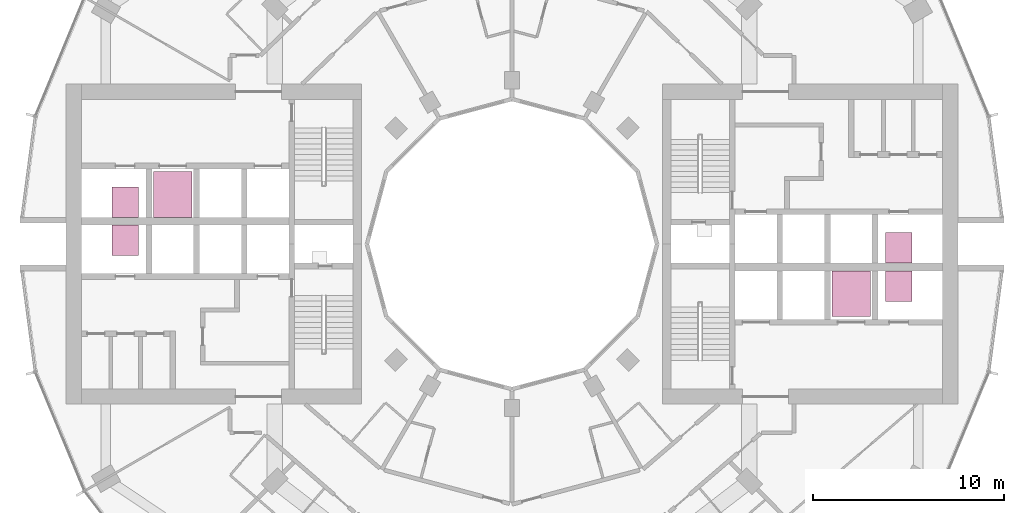
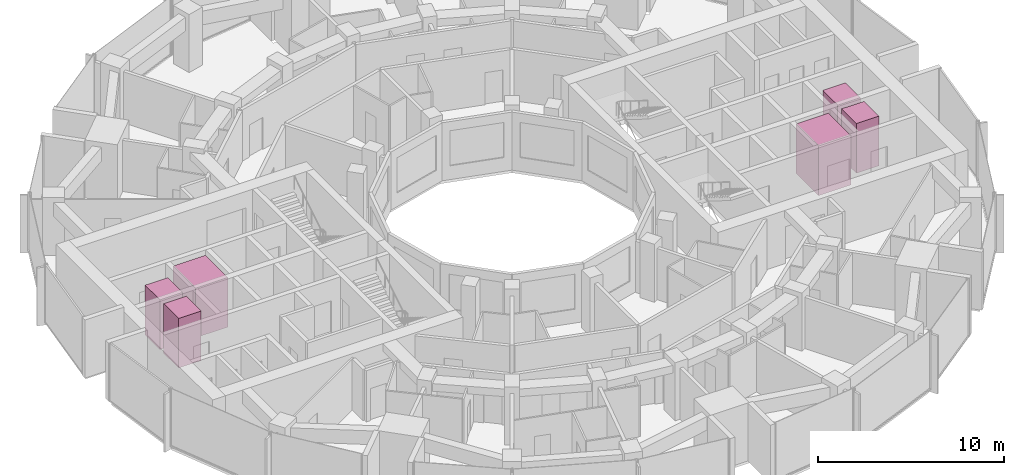
# One storey, part 15 of 15: 6 transport elements.
"""IFC4 building model written with IfcOpenShell, lengths in metres."""

from ifc_helpers import new_model, si_unit, direction, frame, origin, origin_2d, place, context, subcontext, project, spatial, rectangle, extrude, material, type_object, element, save


model = new_model("IFC4")

# Units and contexts
model_context = context("Model", 3, precision=1e-05, world=origin(), true_north=direction((0.0, 1.0)))
body_context = subcontext(model_context, "Body", "Model", "MODEL_VIEW")
ifc_project = project(units=[si_unit("LENGTHUNIT", "METRE"), si_unit("AREAUNIT", "SQUARE_METRE"), si_unit("VOLUMEUNIT", "CUBIC_METRE"), si_unit("PLANEANGLEUNIT", "RADIAN"), si_unit("MASSUNIT", "GRAM", prefix="KILO")], contexts=[model_context])

# Site, building, storey
site_placement = place(None, origin())
site = spatial("IfcSite", under=ifc_project, at=site_placement, CompositionType="ELEMENT")
building_placement = place(site_placement, origin())
building = spatial("IfcBuilding", under=site, at=building_placement, Name="Torre Brocal", CompositionType="ELEMENT")
storey_placement = place(building_placement, frame((0.0, 0.0, 59.199951171875)))
storey = spatial("IfcBuildingStorey", under=building, at=storey_placement, Name="L13", CompositionType="ELEMENT", Elevation=59.199951171875)

# Transport elements
ifc_material_1 = material(Name="Stainless steel AISI 316", Category="steel")
transport_element_type_1 = type_object("IfcTransportElementType", Name="PASSENGER LIFT 2000", PredefinedType="ELEVATOR", material=ifc_material_1)
for number, where, z_axis, x_axis, name in (
    (1, (97.800048828125, 72.39990234375, 0.0), (0.0, 0.0, 1.0), (1.0, 0.0, 0.0), "LOW RISE LIFT E-LR2"),
    (2, (62.199951171875, 77.60009765625, 0.0), (0.0, 0.0, 1.0), (1.0, 0.0, 0.0), "LOW RISE LIFT W-LR2"),
):
    element("IfcTransportElement", number, at=place(storey_placement, frame(where, z_axis=z_axis, x_axis=x_axis)), inside=storey, type_object=transport_element_type_1, Name=name, PredefinedType="ELEVATOR", context=body_context, shape_type="SweptSolid", body=[
        extrude(rectangle(XDim=2.0, YDim=2.39990234375, at=origin_2d()), origin(), (0.0, 0.0, 1.0), 3.25),
    ])
ifc_material_2 = material(Name="Stainless steel AISI 316", Category="steel")
transport_element_type_2 = type_object("IfcTransportElementType", Name="PASSENGER LIFT 900", PredefinedType="ELEVATOR", material=ifc_material_2)
for number, where, z_axis, x_axis, name in (
    (3, (100.300048828125, 74.800048828125, 0.0), (0.0, 0.0, 1.0), (1.0, 0.0, 0.0), "LOW RISE LIFT E-LR1"),
    (4, (100.300048828125, 72.800048828125, 0.0), (0.0, 0.0, 1.0), (1.0, 0.0, 0.0), "LOW RISE LIFT E-LR3"),
    (5, (59.699951171875, 75.199951171875, 0.0), (0.0, 0.0, 1.0), (1.0, 0.0, 0.0), "LOW RISE LIFT W-LR1"),
    (6, (59.699951171875, 77.199951171875, 0.0), (0.0, 0.0, 1.0), (1.0, 0.0, 0.0), "LOW RISE LIFT W-LR3"),
):
    element("IfcTransportElement", number, at=place(storey_placement, frame(where, z_axis=z_axis, x_axis=x_axis)), inside=storey, type_object=transport_element_type_2, Name=name, PredefinedType="ELEVATOR", context=body_context, shape_type="SweptSolid", body=[
        extrude(rectangle(XDim=1.39990234375, YDim=1.60009765625, at=origin_2d()), origin(), (0.0, 0.0, 1.0), 3.25),
    ])

save(model, "model.ifc")
